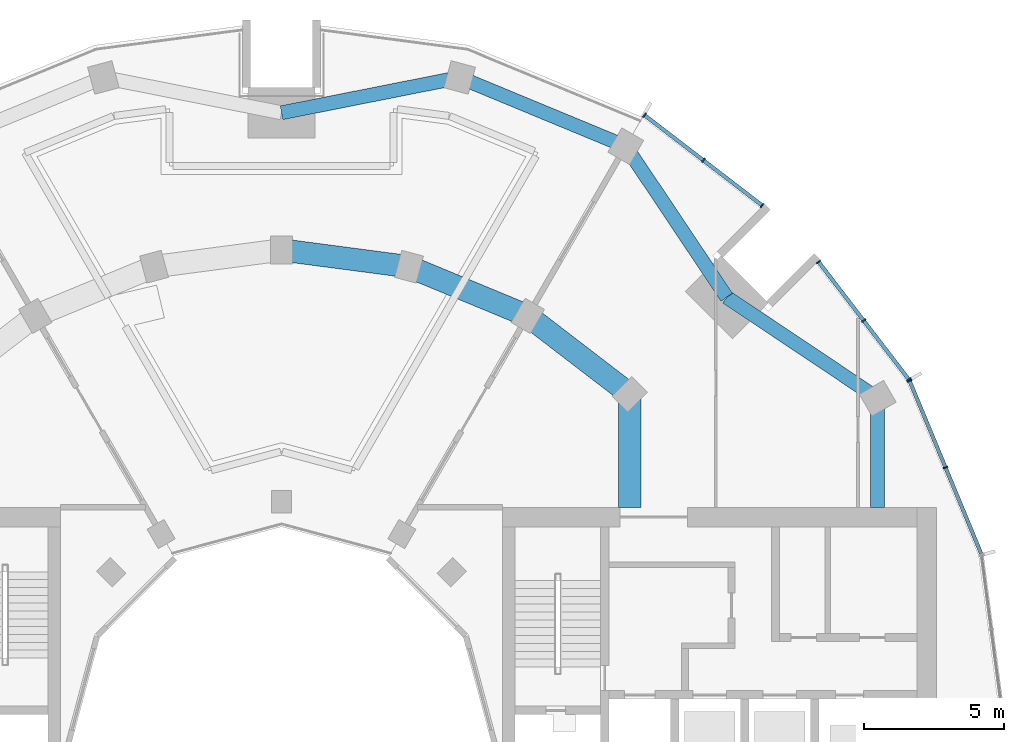
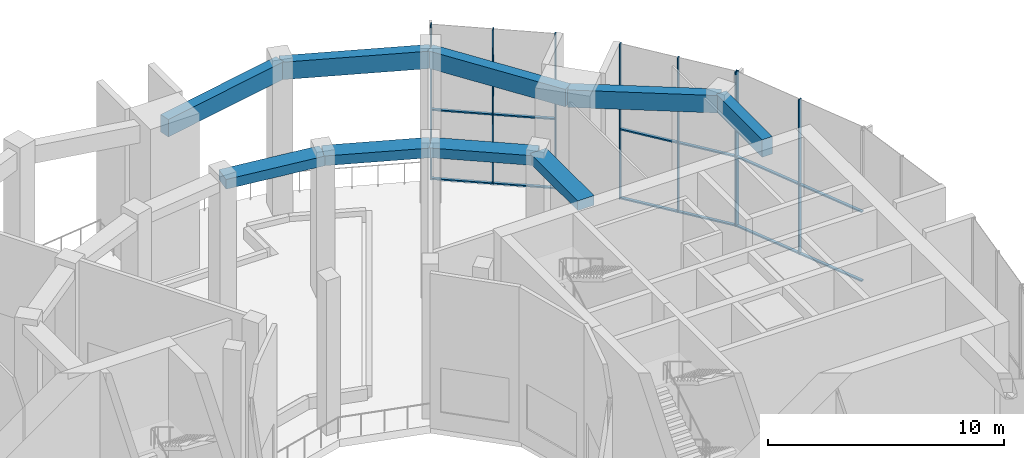
# One storey, part 8 of 18: 20 members, 9 beams, 3 elements without a shape of their own.
"""IFC4 building model written with IfcOpenShell, lengths in metres."""

from ifc_helpers import new_model, si_unit, direction, frame, origin, origin_2d, place, context, subcontext, project, spatial, rectangle, extrude, material, layer, layer_set, material_profile, profile_set, type_object, element, aggregate, save


model = new_model("IFC4")

# Units and contexts
model_context = context("Model", 3, precision=1e-05, world=origin(), true_north=direction((0.0, 1.0)))
body_context = subcontext(model_context, "Body", "Model", "MODEL_VIEW")
ifc_project = project(units=[si_unit("LENGTHUNIT", "METRE"), si_unit("AREAUNIT", "SQUARE_METRE"), si_unit("VOLUMEUNIT", "CUBIC_METRE"), si_unit("PLANEANGLEUNIT", "RADIAN"), si_unit("MASSUNIT", "GRAM", prefix="KILO")], contexts=[model_context])

# Site, building, storey
site_placement = place(None, origin())
site = spatial("IfcSite", under=ifc_project, at=site_placement, CompositionType="ELEMENT")
building_placement = place(site_placement, origin())
building = spatial("IfcBuilding", under=site, at=building_placement, Name="Torre Brocal", CompositionType="ELEMENT")
storey_placement = place(building_placement, frame((0.0, 0.0, 149.699951171875)))
storey = spatial("IfcBuildingStorey", under=building, at=storey_placement, Name="L35", CompositionType="ELEMENT", Elevation=149.699951171875)

# Curtain wall, members
ifc_material_1 = material(Name="Aluminium and glass", Category="aluminium")
ifc_layer = layer(ifc_material_1, 0.199951171875)
ifc_layer_set = layer_set([ifc_layer], Name="Aluminium and glass")
curtain_wall_type = type_object("IfcCurtainWallType", Name="CW-4 CURTAIN WALL 8000 HIGH", PredefinedType="NOTDEFINED", material=ifc_layer_set)
curtain_wall_1_placement = place(storey_placement, origin())
curtain_wall_1 = element("IfcCurtainWall", 1, at=curtain_wall_1_placement, inside=storey, type_object=curtain_wall_type, Name="CW-4 RUN 2", PredefinedType="NOTDEFINED")
ifc_material_2 = material(Name="Aluminium, dark anodised", Category="aluminium")
ifc_material_profile_1 = material_profile(ifc_material_2, rectangle(XDim=0.179931640625, YDim=0.050048828125, at=origin_2d()), Name="CW-4 MULLION 50X180")
ifc_profile_set_1 = profile_set([ifc_material_profile_1], Name="Aluminium, dark anodised")
member_type_1 = type_object("IfcMemberType", Name="CW-4 MULLION 50X180", PredefinedType="MULLION", material=ifc_profile_set_1)
member_1_placement = place(storey_placement, frame((103.722900390625, 84.826416015625, 0.0), z_axis=(0.0, 0.0, 1.0), x_axis=(-0.923879532525, -0.382683432333, 0.0)))
member_1 = element("IfcMember", 2, at=member_1_placement, type_object=member_type_1, Name="CW4-1 mullion 2", PredefinedType="MULLION", context=body_context, shape_type="SweptSolid", body=[
    extrude(rectangle(XDim=0.179931640625, YDim=0.050048828125, at=origin_2d()), origin(), (0.0, 0.0, 1.0), 8.0),
])
member_2_placement = place(storey_placement, frame((102.43896484375, 87.926513671875, 0.0), z_axis=(0.0, 0.0, 1.0), x_axis=(-0.923879532525, -0.382683432333, 0.0)))
member_2 = element("IfcMember", 3, at=member_2_placement, type_object=member_type_1, Name="CW4-1 mullion 3", PredefinedType="MULLION", context=body_context, shape_type="SweptSolid", body=[
    extrude(rectangle(XDim=0.179931640625, YDim=0.050048828125, at=origin_2d()), origin(), (0.0, 0.0, 1.0), 8.0),
])

curtain_wall_2_placement = place(storey_placement, origin())
curtain_wall_2 = element("IfcCurtainWall", 4, at=curtain_wall_2_placement, inside=storey, type_object=curtain_wall_type, Name="CW-4 RUN 3", PredefinedType="NOTDEFINED")
member_3_placement = place(storey_placement, frame((102.4140625, 87.969482421875, 0.0), z_axis=(0.0, 0.0, 1.0), x_axis=(-0.793353340259, -0.60876142905, 0.0)))
member_3 = element("IfcMember", 5, at=member_3_placement, type_object=member_type_1, Name="CW4-1 mullion 1", PredefinedType="MULLION", context=body_context, shape_type="SweptSolid", body=[
    extrude(rectangle(XDim=0.179931640625, YDim=0.050048828125, at=origin_2d()), origin(), (0.0, 0.0, 1.0), 8.0),
])
member_4_placement = place(storey_placement, frame((100.80126953125, 90.0712890625, 0.0), z_axis=(0.0, 0.0, 1.0), x_axis=(-0.793353340259, -0.60876142905, 0.0)))
member_4 = element("IfcMember", 6, at=member_4_placement, type_object=member_type_1, Name="CW4-1 mullion 2", PredefinedType="MULLION", context=body_context, shape_type="SweptSolid", body=[
    extrude(rectangle(XDim=0.179931640625, YDim=0.050048828125, at=origin_2d()), origin(), (0.0, 0.0, 1.0), 8.0),
])
member_5_placement = place(storey_placement, frame((99.188232421875, 92.17333984375, 0.0), z_axis=(0.0, 0.0, 1.0), x_axis=(-0.793353340259, -0.60876142905, 0.0)))
member_5 = element("IfcMember", 7, at=member_5_placement, type_object=member_type_1, Name="CW4-1 mullion 3", PredefinedType="MULLION", context=body_context, shape_type="SweptSolid", body=[
    extrude(rectangle(XDim=0.179931640625, YDim=0.050048828125, at=origin_2d()), origin(), (0.0, 0.0, 1.0), 8.0),
])

curtain_wall_3_placement = place(storey_placement, origin())
curtain_wall_3 = element("IfcCurtainWall", 8, at=curtain_wall_3_placement, inside=storey, type_object=curtain_wall_type, Name="CW-4 RUN 4", PredefinedType="NOTDEFINED")
member_6_placement = place(storey_placement, frame((97.17333984375, 94.188232421875, 0.0), z_axis=(0.0, 0.0, 1.0), x_axis=(-0.60876142905, -0.793353340259, 0.0)))
member_6 = element("IfcMember", 9, at=member_6_placement, type_object=member_type_1, Name="CW4-1 mullion 1", PredefinedType="MULLION", context=body_context, shape_type="SweptSolid", body=[
    extrude(rectangle(XDim=0.179931640625, YDim=0.050048828125, at=origin_2d()), origin(), (0.0, 0.0, 1.0), 8.0),
])
member_7_placement = place(storey_placement, frame((95.0712890625, 95.80126953125, 0.0), z_axis=(0.0, 0.0, 1.0), x_axis=(-0.60876142905, -0.793353340259, 0.0)))
member_7 = element("IfcMember", 10, at=member_7_placement, type_object=member_type_1, Name="CW4-1 mullion 2", PredefinedType="MULLION", context=body_context, shape_type="SweptSolid", body=[
    extrude(rectangle(XDim=0.179931640625, YDim=0.050048828125, at=origin_2d()), origin(), (0.0, 0.0, 1.0), 8.0),
])
member_8_placement = place(storey_placement, frame((92.969482421875, 97.4140625, 0.0), z_axis=(0.0, 0.0, 1.0), x_axis=(-0.60876142905, -0.793353340259, 0.0)))
member_8 = element("IfcMember", 11, at=member_8_placement, type_object=member_type_1, Name="CW4-1 mullion 3", PredefinedType="MULLION", context=body_context, shape_type="SweptSolid", body=[
    extrude(rectangle(XDim=0.179931640625, YDim=0.050048828125, at=origin_2d()), origin(), (0.0, 0.0, 1.0), 8.0),
])

# Member
ifc_material_3 = material(Name="Aluminium, dark anodised", Category="aluminium")
ifc_material_profile_2 = material_profile(ifc_material_3, rectangle(XDim=0.139892578125, YDim=0.070068359375, at=origin_2d()), Name="CW-4 TRANSOM 140X70")
ifc_profile_set_2 = profile_set([ifc_material_profile_2], Name="Aluminium, dark anodised")
member_type_2 = type_object("IfcMemberType", Name="CW-4 TRANSOM 140X70", PredefinedType="USERDEFINED", material=ifc_profile_set_2)
member_9_placement = place(storey_placement, frame((104.99755859375, 81.749267578125, 0.03515625), z_axis=(-0.382658376168, 0.92388991073, 0.0), x_axis=(-0.92388991073, -0.382658376168, 0.0)))
member_9 = element("IfcMember", 12, at=member_9_placement, type_object=member_type_2, Name="CW4-1 transom 1.1", ObjectType="TRANSOM", PredefinedType="USERDEFINED", context=body_context, shape_type="SweptSolid", body=[
    extrude(rectangle(XDim=0.139892578125, YDim=0.070068359375, at=origin_2d()), origin(), (0.0, 0.0, 1.0), 3.305419921875),
])

member_10_placement = place(storey_placement, frame((104.99755859375, 81.749267578125, 3.60009765625), z_axis=(-0.382658376168, 0.92388991073, 0.0), x_axis=(-0.92388991073, -0.382658376168, 0.0)))
member_10 = element("IfcMember", 13, at=member_10_placement, type_object=member_type_2, Name="CW4-1 transom 1.2", ObjectType="TRANSOM", PredefinedType="USERDEFINED", context=body_context, shape_type="SweptSolid", body=[
    extrude(rectangle(XDim=0.139892578125, YDim=0.070068359375, at=origin_2d()), origin(), (0.0, 0.0, 1.0), 3.305419921875),
])

member_11_placement = place(storey_placement, frame((103.71337890625, 84.849365234375, 0.03515625), z_axis=(-0.382658376168, 0.92388991073, 0.0), x_axis=(-0.92388991073, -0.382658376168, 0.0)))
member_11 = element("IfcMember", 14, at=member_11_placement, type_object=member_type_2, Name="CW4-1 transom 2.1", ObjectType="TRANSOM", PredefinedType="USERDEFINED", context=body_context, shape_type="SweptSolid", body=[
    extrude(rectangle(XDim=0.139892578125, YDim=0.070068359375, at=origin_2d()), origin(), (0.0, 0.0, 1.0), 3.305419921875),
])

member_12_placement = place(storey_placement, frame((103.71337890625, 84.849365234375, 3.60009765625), z_axis=(-0.382658376168, 0.92388991073, 0.0), x_axis=(-0.92388991073, -0.382658376168, 0.0)))
member_12 = element("IfcMember", 15, at=member_12_placement, type_object=member_type_2, Name="CW4-1 transom 2.2", ObjectType="TRANSOM", PredefinedType="USERDEFINED", context=body_context, shape_type="SweptSolid", body=[
    extrude(rectangle(XDim=0.139892578125, YDim=0.070068359375, at=origin_2d()), origin(), (0.0, 0.0, 1.0), 3.305419921875),
])

aggregate(curtain_wall_1, [member_1, member_2, member_9, member_10, member_11, member_12])

member_13_placement = place(storey_placement, frame((102.39892578125, 87.9892578125, 0.03515625), z_axis=(-0.608784419977, 0.793335698171, 0.0), x_axis=(-0.793335698171, -0.608784419977, 0.0)))
member_13 = element("IfcMember", 16, at=member_13_placement, type_object=member_type_2, Name="CW4-1 transom 1.1", ObjectType="TRANSOM", PredefinedType="USERDEFINED", context=body_context, shape_type="SweptSolid", body=[
    extrude(rectangle(XDim=0.139892578125, YDim=0.070068359375, at=origin_2d()), origin(), (0.0, 0.0, 1.0), 2.599365234375),
])

member_14_placement = place(storey_placement, frame((102.39892578125, 87.9892578125, 3.60009765625), z_axis=(-0.608784419977, 0.793335698171, 0.0), x_axis=(-0.793335698171, -0.608784419977, 0.0)))
member_14 = element("IfcMember", 17, at=member_14_placement, type_object=member_type_2, Name="CW4-1 transom 1.2", ObjectType="TRANSOM", PredefinedType="USERDEFINED", context=body_context, shape_type="SweptSolid", body=[
    extrude(rectangle(XDim=0.139892578125, YDim=0.070068359375, at=origin_2d()), origin(), (0.0, 0.0, 1.0), 2.599365234375),
])

member_15_placement = place(storey_placement, frame((100.785888671875, 90.09130859375, 0.03515625), z_axis=(-0.608725303881, 0.79338105877, 0.0), x_axis=(-0.79338105877, -0.608725303881, 0.0)))
member_15 = element("IfcMember", 18, at=member_15_placement, type_object=member_type_2, Name="CW4-1 transom 2.1", ObjectType="TRANSOM", PredefinedType="USERDEFINED", context=body_context, shape_type="SweptSolid", body=[
    extrude(rectangle(XDim=0.139892578125, YDim=0.070068359375, at=origin_2d()), origin(), (0.0, 0.0, 1.0), 2.599365234375),
])

member_16_placement = place(storey_placement, frame((100.785888671875, 90.09130859375, 3.60009765625), z_axis=(-0.608725303881, 0.79338105877, 0.0), x_axis=(-0.79338105877, -0.608725303881, 0.0)))
member_16 = element("IfcMember", 19, at=member_16_placement, type_object=member_type_2, Name="CW4-1 transom 2.2", ObjectType="TRANSOM", PredefinedType="USERDEFINED", context=body_context, shape_type="SweptSolid", body=[
    extrude(rectangle(XDim=0.139892578125, YDim=0.070068359375, at=origin_2d()), origin(), (0.0, 0.0, 1.0), 2.599365234375),
])

aggregate(curtain_wall_2, [member_3, member_4, member_5, member_13, member_14, member_15, member_16])

member_17_placement = place(storey_placement, frame((97.153564453125, 94.20361328125, 0.03515625), z_axis=(-0.79338105877, 0.608725303881, 0.0), x_axis=(-0.608725303881, -0.79338105877, 0.0)))
member_17 = element("IfcMember", 20, at=member_17_placement, type_object=member_type_2, Name="CW4-1 transom 1.1", ObjectType="TRANSOM", PredefinedType="USERDEFINED", context=body_context, shape_type="SweptSolid", body=[
    extrude(rectangle(XDim=0.139892578125, YDim=0.070068359375, at=origin_2d()), origin(), (0.0, 0.0, 1.0), 2.599365234375),
])

member_18_placement = place(storey_placement, frame((97.153564453125, 94.20361328125, 3.60009765625), z_axis=(-0.79338105877, 0.608725303881, 0.0), x_axis=(-0.608725303881, -0.79338105877, 0.0)))
member_18 = element("IfcMember", 21, at=member_18_placement, type_object=member_type_2, Name="CW4-1 transom 1.2", ObjectType="TRANSOM", PredefinedType="USERDEFINED", context=body_context, shape_type="SweptSolid", body=[
    extrude(rectangle(XDim=0.139892578125, YDim=0.070068359375, at=origin_2d()), origin(), (0.0, 0.0, 1.0), 2.599365234375),
])

member_19_placement = place(storey_placement, frame((95.051513671875, 95.81640625, 0.03515625), z_axis=(-0.793335698171, 0.608784419977, 0.0), x_axis=(-0.608784419977, -0.793335698171, 0.0)))
member_19 = element("IfcMember", 22, at=member_19_placement, type_object=member_type_2, Name="CW4-1 transom 2.1", ObjectType="TRANSOM", PredefinedType="USERDEFINED", context=body_context, shape_type="SweptSolid", body=[
    extrude(rectangle(XDim=0.139892578125, YDim=0.070068359375, at=origin_2d()), origin(), (0.0, 0.0, 1.0), 2.599365234375),
])

member_20_placement = place(storey_placement, frame((95.051513671875, 95.81640625, 3.60009765625), z_axis=(-0.793335698171, 0.608784419977, 0.0), x_axis=(-0.608784419977, -0.793335698171, 0.0)))
member_20 = element("IfcMember", 23, at=member_20_placement, type_object=member_type_2, Name="CW4-1 transom 2.2", ObjectType="TRANSOM", PredefinedType="USERDEFINED", context=body_context, shape_type="SweptSolid", body=[
    extrude(rectangle(XDim=0.139892578125, YDim=0.070068359375, at=origin_2d()), origin(), (0.0, 0.0, 1.0), 2.599365234375),
])

aggregate(curtain_wall_3, [member_6, member_7, member_8, member_17, member_18, member_19, member_20])

# Beams
ifc_material_4 = material(Name="Concrete C50", Category="concrete")
ifc_material_profile_3 = material_profile(ifc_material_4, rectangle(XDim=0.800048828125, YDim=0.5, at=origin_2d()), Name="RC 800X500")
ifc_profile_set_3 = profile_set([ifc_material_profile_3], Name="Concrete C50")
beam_type_1 = type_object("IfcBeamType", Name="RC BEAM 800X500 C50 TOP 7680", PredefinedType="BEAM", material=ifc_profile_set_3)
beam_1_placement = place(storey_placement, frame((92.445068359375, 87.445068359375, 7.429931640625), z_axis=(-0.793358265959, 0.6087550097, 0.0), x_axis=(-0.6087550097, -0.793358265959, 0.0)))
element("IfcBeam", 24, at=beam_1_placement, inside=storey, type_object=beam_type_1, Name="Beam BT-23", PredefinedType="BEAM", context=body_context, shape_type="SweptSolid", body=[
    extrude(rectangle(XDim=0.800048828125, YDim=0.5, at=origin_2d()), origin(), (0.0, 0.0, 1.0), 4.594482421875),
])
beam_2_placement = place(storey_placement, frame((88.800048828125, 90.241943359375, 7.429931640625), z_axis=(-0.923878240166, 0.382686552348, 0.0), x_axis=(-0.382686552348, -0.923878240166, 0.0)))
element("IfcBeam", 25, at=beam_2_placement, inside=storey, type_object=beam_type_1, Name="Beam BT-23", PredefinedType="BEAM", context=body_context, shape_type="SweptSolid", body=[
    extrude(rectangle(XDim=0.800048828125, YDim=0.5, at=origin_2d()), origin(), (0.0, 0.0, 1.0), 4.5947265625),
])
beam_3_placement = place(storey_placement, frame((84.55517578125, 92.000244140625, 7.429931640625), z_axis=(-0.991440544449, 0.130558978332, 0.0), x_axis=(-0.130558978332, -0.991440544449, 0.0)))
element("IfcBeam", 26, at=beam_3_placement, inside=storey, type_object=beam_type_1, Name="Beam BT-23", PredefinedType="BEAM", context=body_context, shape_type="SweptSolid", body=[
    extrude(rectangle(XDim=0.800048828125, YDim=0.5, at=origin_2d()), origin(), (0.0, 0.0, 1.0), 4.594482421875),
])
beam_4_placement = place(storey_placement, frame((92.445068359375, 87.445068359375, 7.429931640625), z_axis=(0.0, -1.0, 0.0), x_axis=(1.0, 0.0, 0.0)))
element("IfcBeam", 27, at=beam_4_placement, inside=storey, type_object=beam_type_1, Name="Beam BT-23", PredefinedType="BEAM", context=body_context, shape_type="SweptSolid", body=[
    extrude(rectangle(XDim=0.800048828125, YDim=0.5, at=origin_2d()), origin(), (0.0, 0.0, 1.0), 4.045166015625),
])
ifc_material_5 = material(Name="Concrete C50", Category="concrete")
ifc_material_profile_4 = material_profile(ifc_material_5, rectangle(XDim=0.5, YDim=0.89990234375, at=origin_2d()), Name="RC 500X900")
ifc_profile_set_4 = profile_set([ifc_material_profile_4], Name="Concrete C50")
beam_type_2 = type_object("IfcBeamType", Name="RC SPANDREL BEAM 500X900 C50 TOP 7680", PredefinedType="SPANDREL", material=ifc_profile_set_4)
for number, where, z_axis, x_axis, name in (
    (28, (101.30419921875, 87.300048828125, 7.22998046875), (-0.831076844476, 0.556157602282, 0.0), (-0.556157602282, -0.831076844476, 0.0), "Beam BT-24"),
    (29, (95.909912109375, 90.909912109375, 7.22998046875), (-0.556157602282, 0.831076844476, 0.0), (-0.831076844476, -0.556157602282, 0.0), "Beam BT-24"),
):
    element("IfcBeam", number, at=place(storey_placement, frame(where, z_axis=z_axis, x_axis=x_axis)), inside=storey, type_object=beam_type_2, Name=name, PredefinedType="SPANDREL", context=body_context, shape_type="SweptSolid", body=[
        extrude(rectangle(XDim=0.5, YDim=0.89990234375, at=origin_2d()), origin(), (0.0, 0.0, 1.0), 6.49072265625),
    ])
beam_5_placement = place(storey_placement, frame((92.300048828125, 96.30419921875, 7.22998046875), z_axis=(-0.923882462513, 0.382676358639, 0.0), x_axis=(-0.382676358639, -0.923882462513, 0.0)))
element("IfcBeam", 30, at=beam_5_placement, inside=storey, type_object=beam_type_2, Name="Beam BT-24", PredefinedType="SPANDREL", context=body_context, shape_type="SweptSolid", body=[
    extrude(rectangle(XDim=0.5, YDim=0.89990234375, at=origin_2d()), origin(), (0.0, 0.0, 1.0), 6.421875),
])
beam_6_placement = place(storey_placement, frame((86.366943359375, 98.76171875, 7.22998046875), z_axis=(-0.980924907484, -0.194387051723, 0.0), x_axis=(0.194387051723, -0.980924907484, 0.0)))
element("IfcBeam", 31, at=beam_6_placement, inside=storey, type_object=beam_type_2, Name="Beam BT-24", PredefinedType="SPANDREL", context=body_context, shape_type="SweptSolid", body=[
    extrude(rectangle(XDim=0.5, YDim=0.89990234375, at=origin_2d()), origin(), (0.0, 0.0, 1.0), 6.49072265625),
])
beam_7_placement = place(storey_placement, frame((101.30419921875, 87.300048828125, 7.22998046875), z_axis=(0.0, -1.0, 0.0), x_axis=(1.0, 0.0, 0.0)))
element("IfcBeam", 32, at=beam_7_placement, inside=storey, type_object=beam_type_2, Name="Beam BT-24", PredefinedType="SPANDREL", context=body_context, shape_type="SweptSolid", body=[
    extrude(rectangle(XDim=0.5, YDim=0.89990234375, at=origin_2d()), origin(), (0.0, 0.0, 1.0), 3.900146484375),
])

save(model, "model.ifc")
